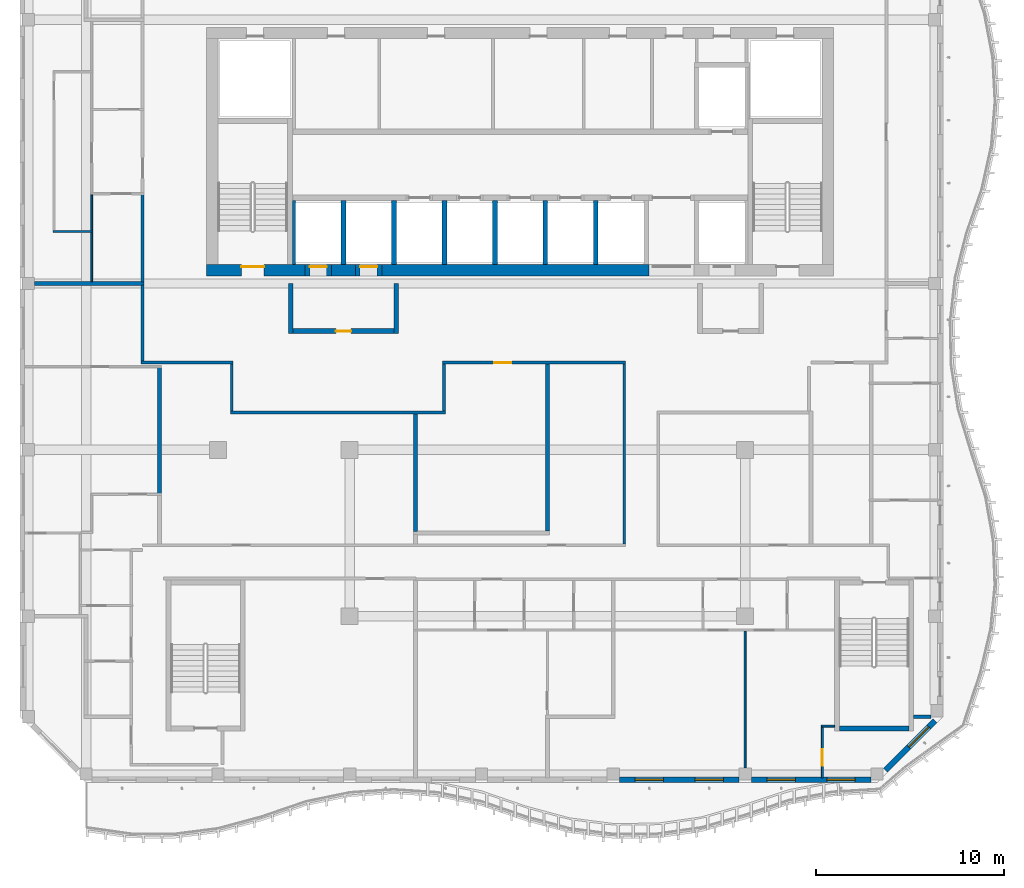
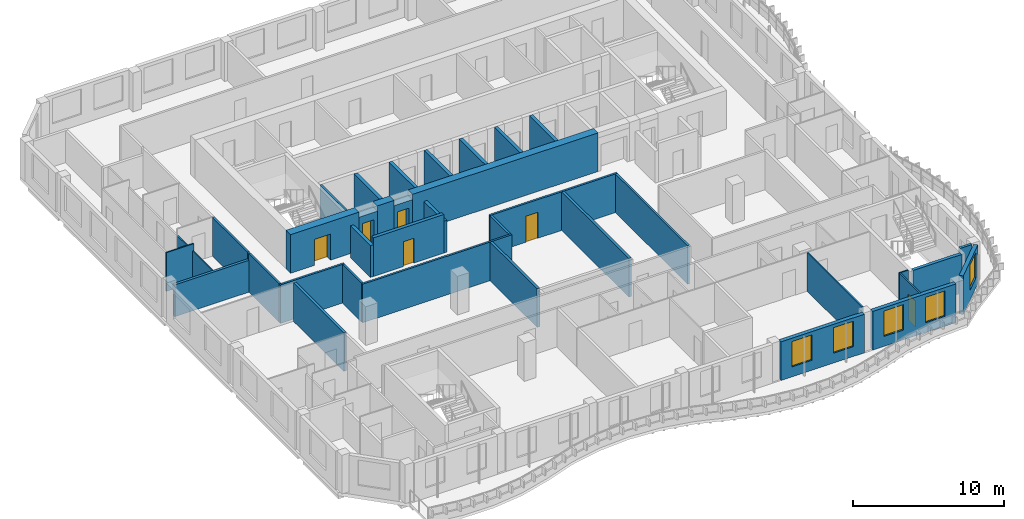
# One storey, part 4 of 17: 38 walls, 6 doors, 5 windows, 11 openings.
"""IFC4 building model written with IfcOpenShell, lengths in metres."""

from ifc_helpers import new_model, si_unit, direction, frame, frame_2d, origin, place, context, subcontext, project, spatial, rectangle, extrude, source, transform, mapped, material, layer, layer_set, type_object, element, fill, save


model = new_model("IFC4")

# Units and contexts
model_context = context("Model", 3, precision=1e-05, world=origin(), true_north=direction((0.0, 1.0)))
body_context = subcontext(model_context, "Body", "Model", "MODEL_VIEW")
ifc_project = project(units=[si_unit("LENGTHUNIT", "METRE"), si_unit("AREAUNIT", "SQUARE_METRE"), si_unit("VOLUMEUNIT", "CUBIC_METRE"), si_unit("PLANEANGLEUNIT", "RADIAN"), si_unit("MASSUNIT", "GRAM", prefix="KILO")], contexts=[model_context])

# Site, building, storey
site_placement = place(None, origin())
site = spatial("IfcSite", under=ifc_project, at=site_placement, CompositionType="ELEMENT")
building_placement = place(site_placement, origin())
building = spatial("IfcBuilding", under=site, at=building_placement, Name="Kilnfold Tower and Market Hall", CompositionType="ELEMENT")
storey_placement = place(building_placement, frame((0.0, 0.0, 273.800048828125)))
storey = spatial("IfcBuildingStorey", under=building, at=storey_placement, Name="L67", CompositionType="ELEMENT", Elevation=273.800048828125)

# Walls
ifc_material_1 = material(Name="Gypsum board on steel studs", Category="steel")
ifc_layer_1 = layer(ifc_material_1, 0.14990234375)
ifc_layer_set_1 = layer_set([ifc_layer_1], Name="Gypsum board on steel studs")
wall_type_1 = type_object("IfcWallType", Name="WALL CORRIDOR 150", PredefinedType="PARTITIONING", material=ifc_layer_set_1)
wall_1_placement = place(storey_placement, frame((-19.074951171875, 3.800048828125, 0.0), z_axis=(0.0, 0.0, 1.0), x_axis=(1.0, 0.0, 0.0)))
element("IfcWall", 1, at=wall_1_placement, inside=storey, type_object=wall_type_1, Name="Partition LY41.7", PredefinedType="PARTITIONING", context=body_context, shape_type="SweptSolid", body=[
    extrude(rectangle(XDim=4.889892578125, YDim=0.14990234375, at=frame_2d((2.44482421875, 0.0))), origin(), (0.0, 0.0, 1.0), 3.119873046875),
])
wall_2_placement = place(storey_placement, frame((-19.0, 3.875, 0.0), z_axis=(0.0, 0.0, 1.0), x_axis=(0.0, 1.0, 0.0)))
element("IfcWall", 2, at=wall_2_placement, inside=storey, type_object=wall_type_1, Name="Partition LY41.8", PredefinedType="PARTITIONING", context=body_context, shape_type="SweptSolid", body=[
    extrude(rectangle(XDim=4.034912109375, YDim=0.14990234375, at=frame_2d((2.017578125, 0.0))), origin(), (0.0, 0.0, 1.0), 3.119873046875),
])
wall_3_placement = place(storey_placement, frame((-19.0, 8.090087890625, 0.0), z_axis=(0.0, 0.0, 1.0), x_axis=(0.0, 1.0, 0.0)))
element("IfcWall", 3, at=wall_3_placement, inside=storey, type_object=wall_type_1, Name="Partition LY41.24", PredefinedType="PARTITIONING", context=body_context, shape_type="SweptSolid", body=[
    extrude(rectangle(XDim=4.6298828125, YDim=0.14990234375, at=frame_2d((2.31494140625, 0.0))), origin(), (0.0, 0.0, 1.0), 3.119873046875),
])
wall_4_placement = place(storey_placement, frame((-14.3349609375, 1.14990234375, 0.0), z_axis=(0.0, 0.0, 1.0), x_axis=(1.0, 0.0, 0.0)))
element("IfcWall", 4, at=wall_4_placement, inside=storey, type_object=wall_type_1, Name="Partition LY41.27", PredefinedType="PARTITIONING", context=body_context, shape_type="SweptSolid", body=[
    extrude(rectangle(XDim=11.409912109375, YDim=0.14990234375, at=frame_2d((5.705078125, 0.0))), origin(), (0.0, 0.0, 1.0), 3.119873046875),
])
wall_5_placement = place(storey_placement, frame((-14.260009765625, 3.72509765625, 0.0), z_axis=(0.0, 0.0, 1.0), x_axis=(0.0, -1.0, 0.0)))
element("IfcWall", 5, at=wall_5_placement, inside=storey, type_object=wall_type_1, Name="Partition LY41.28", PredefinedType="PARTITIONING", context=body_context, shape_type="SweptSolid", body=[
    extrude(rectangle(XDim=2.5, YDim=0.14990234375, at=frame_2d((1.25, 0.0))), origin(), (0.0, 0.0, 1.0), 3.119873046875),
])

# Wall, opening, door
wall_6_placement = place(storey_placement, frame((-3.074951171875, 3.800048828125, 0.0), z_axis=(0.0, 0.0, 1.0), x_axis=(1.0, 0.0, 0.0)))
wall_6 = element("IfcWall", 6, at=wall_6_placement, inside=storey, type_object=wall_type_1, Name="Partition LY41.29", PredefinedType="PARTITIONING", context=body_context, shape_type="SweptSolid", body=[
    extrude(rectangle(XDim=9.72998046875, YDim=0.14990234375, at=frame_2d((4.864990234375, 0.0))), origin(), (0.0, 0.0, 1.0), 3.119873046875),
])
opening_1_placement = place(wall_6_placement, frame((2.7509765625, 0.0, 0.0)))
opening_1 = element("IfcOpeningElement", 7, at=opening_1_placement, cuts=wall_6, Name="Opening D2", PredefinedType="OPENING", context=body_context, shape_type="SweptSolid", body=[
    extrude(rectangle(XDim=0.89990234375, YDim=2.10009765625, at=frame_2d((0.449951171875, 1.050048828125))), frame((0.0, 0.0849609375, 0.0), z_axis=(0.0, -1.0, 0.0), x_axis=(1.0, 0.0, 0.0)), (0.0, 0.0, 1.0), 0.169921875),
])
ifc_material_2 = material(Name="Timber veneer door leaf in steel frame", Category="steel")
door_type_1 = type_object("IfcDoorType", Name="DOOR ROOM 900 X2100", OperationType="NOTDEFINED", PredefinedType="DOOR", material=ifc_material_2)
door_1_placement = place(opening_1_placement, origin())
door_1 = element("IfcDoor", 8, at=door_1_placement, inside=storey, type_object=door_type_1, Name="Door D2", OperationType="SINGLE_SWING_RIGHT", OverallHeight=2.10009765625, OverallWidth=0.89990234375, PredefinedType="DOOR", context=body_context, shape_type="SweptSolid", body=[
    extrude(rectangle(XDim=0.89990234375, YDim=2.10009765625, at=frame_2d((0.449951171875, 1.050048828125))), frame((0.0, 0.02490234375, 0.0), z_axis=(0.0, -1.0, 0.0), x_axis=(1.0, 0.0, 0.0)), (0.0, 0.0, 1.0), 0.050048828125),
])
fill(opening_1, door_1)

# Walls
wall_7_placement = place(storey_placement, frame((-3.0, 1.22509765625, 0.0), z_axis=(0.0, 0.0, 1.0), x_axis=(0.0, 1.0, 0.0)))
element("IfcWall", 9, at=wall_7_placement, inside=storey, type_object=wall_type_1, Name="Partition LY41.30", PredefinedType="PARTITIONING", context=body_context, shape_type="SweptSolid", body=[
    extrude(rectangle(XDim=2.5, YDim=0.14990234375, at=frame_2d((1.25, 0.0))), origin(), (0.0, 0.0, 1.0), 3.119873046875),
])
wall_8_placement = place(storey_placement, frame((6.580078125, 3.72509765625, 0.0), z_axis=(0.0, 0.0, 1.0), x_axis=(0.0, -1.0, 0.0)))
element("IfcWall", 10, at=wall_8_placement, inside=storey, type_object=wall_type_1, Name="Partition LY41.31", PredefinedType="PARTITIONING", context=body_context, shape_type="SweptSolid", body=[
    extrude(rectangle(XDim=9.550048828125, YDim=0.14990234375, at=frame_2d((4.77490234375, 0.0))), origin(), (0.0, 0.0, 1.0), 3.119873046875),
])
ifc_material_3 = material(Name="Gypsum board on steel studs", Category="steel")
ifc_layer_2 = layer(ifc_material_3, 0.10009765625)
ifc_layer_set_2 = layer_set([ifc_layer_2], Name="Gypsum board on steel studs")
wall_type_2 = type_object("IfcWallType", Name="WALL PARTITION 100", PredefinedType="PARTITIONING", material=ifc_layer_set_2)
wall_9_placement = place(storey_placement, frame((13.0, -17.72509765625, 0.0), z_axis=(0.0, 0.0, 1.0), x_axis=(0.0, 1.0, 0.0)))
element("IfcWall", 11, at=wall_9_placement, inside=storey, type_object=wall_type_2, Name="Partition LY41.68", PredefinedType="PARTITIONING", context=body_context, shape_type="SweptSolid", body=[
    extrude(rectangle(XDim=7.273193359375, YDim=0.10009765625, at=frame_2d((3.63671875, 0.0))), origin(), (0.0, 0.0, 1.0), 3.119873046875),
])
wall_10_placement = place(storey_placement, frame((17.050048828125, -15.5, 0.0), z_axis=(0.0, 0.0, 1.0), x_axis=(1.0, 0.0, 0.0)))
element("IfcWall", 12, at=wall_10_placement, inside=storey, type_object=wall_type_2, Name="Partition LY41.69", PredefinedType="PARTITIONING", context=body_context, shape_type="SweptSolid", body=[
    extrude(rectangle(XDim=0.699951171875, YDim=0.10009765625, at=frame_2d((0.35009765625, 0.0))), origin(), (0.0, 0.0, 1.0), 3.119873046875),
])

# Wall, opening, door
wall_11_placement = place(storey_placement, frame((17.10009765625, -18.25, 0.0), z_axis=(0.0, 0.0, 1.0), x_axis=(0.0, 1.0, 0.0)))
wall_11 = element("IfcWall", 13, at=wall_11_placement, inside=storey, type_object=wall_type_2, Name="Partition LY41.70", PredefinedType="PARTITIONING", context=body_context, shape_type="SweptSolid", body=[
    extrude(rectangle(XDim=2.699951171875, YDim=0.10009765625, at=frame_2d((1.35009765625, 0.0))), origin(), (0.0, 0.0, 1.0), 3.119873046875),
])
opening_2_placement = place(wall_11_placement, frame((0.631103515625, 0.0, 0.0)))
opening_2 = element("IfcOpeningElement", 14, at=opening_2_placement, cuts=wall_11, Name="Opening D2", PredefinedType="OPENING", context=body_context, shape_type="SweptSolid", body=[
    extrude(rectangle(XDim=0.89990234375, YDim=2.10009765625, at=frame_2d((0.449951171875, 1.050048828125))), frame((0.0, 0.06005859375, 0.0), z_axis=(0.0, -1.0, 0.0), x_axis=(1.0, 0.0, 0.0)), (0.0, 0.0, 1.0), 0.1201171875),
])
door_2_placement = place(opening_2_placement, origin())
door_2 = element("IfcDoor", 15, at=door_2_placement, inside=storey, type_object=door_type_1, Name="Door D2", OperationType="SINGLE_SWING_LEFT", OverallHeight=2.10009765625, OverallWidth=0.89990234375, PredefinedType="DOOR", context=body_context, shape_type="SweptSolid", body=[
    extrude(rectangle(XDim=0.89990234375, YDim=2.10009765625, at=frame_2d((0.449951171875, 1.050048828125))), frame((0.0, 0.02490234375, 0.0), z_axis=(0.0, -1.0, 0.0), x_axis=(1.0, 0.0, 0.0)), (0.0, 0.0, 1.0), 0.050048828125),
])
fill(opening_2, door_2)

# Walls
wall_12_placement = place(storey_placement, frame((-21.699951171875, 8.10009765625, 0.0), z_axis=(0.0, 0.0, 1.0), x_axis=(0.0, 1.0, 0.0)))
element("IfcWall", 16, at=wall_12_placement, inside=storey, type_object=wall_type_2, Name="Partition LY41.86", PredefinedType="PARTITIONING", context=body_context, shape_type="SweptSolid", body=[
    extrude(rectangle(XDim=2.618896484375, YDim=0.10009765625, at=frame_2d((1.3095703125, 0.0))), origin(), (0.0, 0.0, 1.0), 2.570068359375),
])
wall_13_placement = place(storey_placement, frame((-21.699951171875, 10.800048828125, 0.0), z_axis=(0.0, 0.0, 1.0), x_axis=(0.0, 1.0, 0.0)))
element("IfcWall", 17, at=wall_13_placement, inside=storey, type_object=wall_type_2, Name="Partition LY41.87", PredefinedType="PARTITIONING", context=body_context, shape_type="SweptSolid", body=[
    extrude(rectangle(XDim=1.909912109375, YDim=0.10009765625, at=frame_2d((0.955078125, 0.0))), origin(), (0.0, 0.0, 1.0), 2.570068359375),
])
wall_14_placement = place(storey_placement, frame((-21.652099609375, 10.759033203125, 0.0), z_axis=(0.0, 0.0, 1.0), x_axis=(-1.0, 0.0, 0.0)))
element("IfcWall", 18, at=wall_14_placement, inside=storey, type_object=wall_type_2, Name="Partition LY41.94", PredefinedType="PARTITIONING", context=body_context, shape_type="SweptSolid", body=[
    extrude(rectangle(XDim=2.098876953125, YDim=0.10009765625, at=frame_2d((1.04931640625, 0.0))), origin(), (0.0, 0.0, 1.0), 3.119873046875),
])
ifc_material_4 = material(Name="Gypsum board on steel studs", Category="steel")
ifc_layer_3 = layer(ifc_material_4, 0.199951171875)
ifc_layer_set_3 = layer_set([ifc_layer_3], Name="Gypsum board on steel studs")
wall_type_3 = type_object("IfcWallType", Name="WALL PARTY 200", PredefinedType="PARTITIONING", material=ifc_layer_set_3)
wall_15_placement = place(storey_placement, frame((-18.10009765625, -3.14794921875, 0.0), z_axis=(0.0, 0.0, 1.0), x_axis=(0.0, 1.0, 0.0)))
element("IfcWall", 19, at=wall_15_placement, inside=storey, type_object=wall_type_3, Name="Partition LY41.53", PredefinedType="PARTITIONING", context=body_context, shape_type="SweptSolid", body=[
    extrude(rectangle(XDim=6.680908203125, YDim=0.199951171875, at=frame_2d((3.34033203125, 0.0))), origin(), (0.0, 0.0, 1.0), 3.119873046875),
])
wall_16_placement = place(storey_placement, frame((-24.72509765625, 8.0, 0.0), z_axis=(0.0, 0.0, 1.0), x_axis=(1.0, 0.0, 0.0)))
element("IfcWall", 20, at=wall_16_placement, inside=storey, type_object=wall_type_3, Name="Partition LY41.54", PredefinedType="PARTITIONING", context=body_context, shape_type="SweptSolid", body=[
    extrude(rectangle(XDim=5.798095703125, YDim=0.199951171875, at=frame_2d((2.89892578125, 0.0))), origin(), (0.0, 0.0, 1.0), 2.570068359375),
])
wall_17_placement = place(storey_placement, frame((21.949951171875, -15.0, 0.0), z_axis=(0.0, 0.0, 1.0), x_axis=(1.0, 0.0, 0.0)))
element("IfcWall", 21, at=wall_17_placement, inside=storey, type_object=wall_type_3, Name="Partition LY41.71", PredefinedType="PARTITIONING", context=body_context, shape_type="SweptSolid", body=[
    extrude(rectangle(XDim=0.906982421875, YDim=0.199951171875, at=frame_2d((0.45361328125, 0.0))), origin(), (0.0, 0.0, 1.0), 3.119873046875),
])
wall_18_placement = place(storey_placement, frame((-4.5, -5.159912109375, 0.0), z_axis=(0.0, 0.0, 1.0), x_axis=(0.0, 1.0, 0.0)))
element("IfcWall", 22, at=wall_18_placement, inside=storey, type_object=wall_type_3, Name="Partition LY41.95", PredefinedType="PARTITIONING", context=body_context, shape_type="SweptSolid", body=[
    extrude(rectangle(XDim=6.23291015625, YDim=0.199951171875, at=frame_2d((3.116455078125, 0.0))), origin(), (0.0, 0.0, 1.0), 3.119873046875),
])
wall_19_placement = place(storey_placement, frame((2.5, -5.14990234375, 0.0), z_axis=(0.0, 0.0, 1.0), x_axis=(0.0, 1.0, 0.0)))
element("IfcWall", 23, at=wall_19_placement, inside=storey, type_object=wall_type_3, Name="Partition LY41.97", PredefinedType="PARTITIONING", context=body_context, shape_type="SweptSolid", body=[
    extrude(rectangle(XDim=8.872802734375, YDim=0.199951171875, at=frame_2d((4.4365234375, 0.0))), origin(), (0.0, 0.0, 1.0), 3.119873046875),
])
ifc_material_5 = material(Name="Concrete C50", Category="concrete")
ifc_layer_4 = layer(ifc_material_5, 0.25)
ifc_layer_set_4 = layer_set([ifc_layer_4], Name="Concrete C50")
wall_type_4 = type_object("IfcWallType", Name="CORE WALL 250 C50", PredefinedType="SHEAR", material=ifc_layer_set_4)
shared_shape_1 = source(origin(), body_context, "Body", "SweptSolid", [
    extrude(rectangle(XDim=3.699951171875, YDim=0.25, at=frame_2d((1.85009765625, 0.0))), origin(), (0.0, 0.0, 1.0), 3.119873046875),
])
wall_20_placement = place(storey_placement, frame((18.0, -15.625, 0.0), z_axis=(0.0, 0.0, 1.0), x_axis=(1.0, 0.0, 0.0)))
element("IfcWall", 24, at=wall_20_placement, inside=storey, type_object=wall_type_4, Name="Stair enclosure ST4", PredefinedType="SHEAR", context=body_context, shape_type="MappedRepresentation", body=[
    mapped(shared_shape_1, transform((0.0, 0.0, 0.0))),
])

# Wall, opening, door
ifc_material_6 = material(Name="Concrete C50", Category="concrete")
ifc_layer_5 = layer(ifc_material_6, 0.60009765625)
ifc_layer_set_5 = layer_set([ifc_layer_5], Name="Concrete C50")
wall_type_5 = type_object("IfcWallType", Name="CORE WALL 600 C50", PredefinedType="SHEAR", material=ifc_layer_set_5)
shared_shape_2 = source(origin(), body_context, "Body", "SweptSolid", [
    extrude(rectangle(XDim=5.22998046875, YDim=0.60009765625, at=frame_2d((2.614990234375, 0.0))), origin(), (0.0, 0.0, 1.0), 3.119873046875),
])
wall_21_placement = place(storey_placement, frame((-15.60009765625, 8.699951171875, 0.0), z_axis=(0.0, 0.0, 1.0), x_axis=(1.0, 0.0, 0.0)))
wall_21 = element("IfcWall", 25, at=wall_21_placement, inside=storey, type_object=wall_type_5, Name="Core outer wall south", PredefinedType="SHEAR", context=body_context, shape_type="MappedRepresentation", body=[
    mapped(shared_shape_2, transform((0.0, 0.0, 0.0))),
])
opening_3_placement = place(wall_21_placement, frame((1.85009765625, 0.0, 0.0)))
opening_3 = element("IfcOpeningElement", 26, at=opening_3_placement, cuts=wall_21, Name="Opening SD1", PredefinedType="OPENING", context=body_context, shape_type="SweptSolid", body=[
    extrude(rectangle(XDim=1.199951171875, YDim=2.10009765625, at=frame_2d((0.60009765625, 1.050048828125))), frame((0.0, 0.31005859375, 0.0), z_axis=(0.0, -1.0, 0.0), x_axis=(1.0, 0.0, 0.0)), (0.0, 0.0, 1.0), 0.6201171875),
])
ifc_material_7 = material(Name="Steel door set with fire-resisting leaf", Category="steel")
door_type_2 = type_object("IfcDoorType", Name="STAIR FLOOR DOOR 1200X2100", OperationType="NOTDEFINED", PredefinedType="DOOR", material=ifc_material_7)
door_3_placement = place(opening_3_placement, origin())
door_3 = element("IfcDoor", 27, at=door_3_placement, inside=storey, type_object=door_type_2, Name="Exit stair ST1 door", OperationType="DOUBLE_DOOR_SINGLE_SWING", OverallHeight=2.10009765625, OverallWidth=1.199951171875, PredefinedType="DOOR", context=body_context, shape_type="SweptSolid", body=[
    extrude(rectangle(XDim=1.199951171875, YDim=2.10009765625, at=frame_2d((0.60009765625, 1.050048828125))), frame((0.0, 0.205078125, 0.0), z_axis=(0.0, -1.0, 0.0), x_axis=(1.0, 0.0, 0.0)), (0.0, 0.0, 1.0), 0.050048828125),
])
fill(opening_3, door_3)

# Walls
shared_shape_3 = source(origin(), body_context, "Body", "SweptSolid", [
    extrude(rectangle(XDim=1.280029296875, YDim=0.60009765625, at=frame_2d((0.64013671875, 0.0))), origin(), (0.0, 0.0, 1.0), 3.119873046875),
])
wall_22_placement = place(storey_placement, frame((-8.969970703125, 8.699951171875, 0.0), z_axis=(0.0, 0.0, 1.0), x_axis=(1.0, 0.0, 0.0)))
element("IfcWall", 28, at=wall_22_placement, inside=storey, type_object=wall_type_5, Name="Core outer wall south", PredefinedType="SHEAR", context=body_context, shape_type="MappedRepresentation", body=[
    mapped(shared_shape_3, transform((0.0, 0.0, 0.0))),
])
shared_shape_4 = source(origin(), body_context, "Body", "SweptSolid", [
    extrude(rectangle(XDim=14.179931640625, YDim=0.60009765625, at=frame_2d((7.08984375, 0.0))), origin(), (0.0, 0.0, 1.0), 3.119873046875),
])
wall_23_placement = place(storey_placement, frame((-6.2900390625, 8.699951171875, 0.0), z_axis=(0.0, 0.0, 1.0), x_axis=(1.0, 0.0, 0.0)))
element("IfcWall", 29, at=wall_23_placement, inside=storey, type_object=wall_type_5, Name="Core outer wall south", PredefinedType="SHEAR", context=body_context, shape_type="MappedRepresentation", body=[
    mapped(shared_shape_4, transform((0.0, 0.0, 0.0))),
])

# Wall, openings, windows
ifc_material_8 = material(Name="Precast concrete C50/60", Category="concrete")
ifc_layer_6 = layer(ifc_material_8, 0.300048828125)
ifc_layer_set_6 = layer_set([ifc_layer_6], Name="Precast concrete C50/60")
wall_type_6 = type_object("IfcWallType", Name="PRECAST WALL 300", PredefinedType="SOLIDWALL", material=ifc_layer_set_6)
shared_shape_5 = source(origin(), body_context, "Body", "SweptSolid", [
    extrude(rectangle(XDim=6.35009765625, YDim=0.300048828125, at=frame_2d((3.175048828125, 0.0))), origin(), (0.0, 0.0, 1.0), 3.119873046875),
])
wall_24_placement = place(storey_placement, frame((6.324951171875, -18.35009765625, 0.0), z_axis=(0.0, 0.0, 1.0), x_axis=(1.0, 0.0, 0.0)))
wall_24 = element("IfcWall", 30, at=wall_24_placement, inside=storey, type_object=wall_type_6, Name="External wall L67 S", PredefinedType="SOLIDWALL", context=body_context, shape_type="MappedRepresentation", body=[
    mapped(shared_shape_5, transform((0.0, 0.0, 0.0))),
])
opening_4_placement = place(wall_24_placement, frame((0.83740234375, 0.0, 0.800048828125)))
opening_4 = element("IfcOpeningElement", 31, at=opening_4_placement, cuts=wall_24, Name="Opening W5", PredefinedType="OPENING", context=body_context, shape_type="SweptSolid", body=[
    extrude(rectangle(XDim=1.5, YDim=2.050048828125, at=frame_2d((0.75, 1.02490234375))), frame((0.0, 0.16015625, 0.0), z_axis=(0.0, -1.0, 0.0), x_axis=(1.0, 0.0, 0.0)), (0.0, 0.0, 1.0), 0.320068359375),
])
opening_5_placement = place(wall_24_placement, frame((4.012451171875, 0.0, 0.800048828125)))
opening_5 = element("IfcOpeningElement", 32, at=opening_5_placement, cuts=wall_24, Name="Opening W5", PredefinedType="OPENING", context=body_context, shape_type="SweptSolid", body=[
    extrude(rectangle(XDim=1.5, YDim=2.050048828125, at=frame_2d((0.75, 1.02490234375))), frame((0.0, 0.16015625, 0.0), z_axis=(0.0, -1.0, 0.0), x_axis=(1.0, 0.0, 0.0)), (0.0, 0.0, 1.0), 0.320068359375),
])
ifc_material_9 = material(Name="Aluminium frame and double glazing", Category="aluminium")
window_type = type_object("IfcWindowType", Name="WINDOW W5 1500X2050", PartitioningType="SINGLE_PANEL", PredefinedType="WINDOW", material=ifc_material_9)
window_1_placement = place(opening_4_placement, origin())
window_1 = element("IfcWindow", 33, at=window_1_placement, inside=storey, type_object=window_type, Name="Window W5 L67 S-1", OverallHeight=2.050048828125, OverallWidth=1.5, PartitioningType="SINGLE_PANEL", PredefinedType="WINDOW", context=body_context, shape_type="SweptSolid", body=[
    extrude(rectangle(XDim=1.5, YDim=2.050048828125, at=frame_2d((0.75, 1.02490234375))), frame((0.0, 0.030029296875, 0.0), z_axis=(0.0, -1.0, 0.0), x_axis=(1.0, 0.0, 0.0)), (0.0, 0.0, 1.0), 0.06005859375),
])
fill(opening_4, window_1)
window_2_placement = place(opening_5_placement, origin())
window_2 = element("IfcWindow", 34, at=window_2_placement, inside=storey, type_object=window_type, Name="Window W5 L67 S-2", OverallHeight=2.050048828125, OverallWidth=1.5, PartitioningType="SINGLE_PANEL", PredefinedType="WINDOW", context=body_context, shape_type="SweptSolid", body=[
    extrude(rectangle(XDim=1.5, YDim=2.050048828125, at=frame_2d((0.75, 1.02490234375))), frame((0.0, 0.030029296875, 0.0), z_axis=(0.0, -1.0, 0.0), x_axis=(1.0, 0.0, 0.0)), (0.0, 0.0, 1.0), 0.06005859375),
])
fill(opening_5, window_2)

wall_25_placement = place(storey_placement, frame((13.324951171875, -18.35009765625, 0.0), z_axis=(0.0, 0.0, 1.0), x_axis=(1.0, 0.0, 0.0)))
wall_25 = element("IfcWall", 35, at=wall_25_placement, inside=storey, type_object=wall_type_6, Name="External wall L67 S", PredefinedType="SOLIDWALL", context=body_context, shape_type="MappedRepresentation", body=[
    mapped(shared_shape_5, transform((0.0, 0.0, 0.0))),
])
opening_6_placement = place(wall_25_placement, frame((0.83740234375, 0.0, 0.800048828125)))
opening_6 = element("IfcOpeningElement", 36, at=opening_6_placement, cuts=wall_25, Name="Opening W5", PredefinedType="OPENING", context=body_context, shape_type="SweptSolid", body=[
    extrude(rectangle(XDim=1.5, YDim=2.050048828125, at=frame_2d((0.75, 1.02490234375))), frame((0.0, 0.16015625, 0.0), z_axis=(0.0, -1.0, 0.0), x_axis=(1.0, 0.0, 0.0)), (0.0, 0.0, 1.0), 0.320068359375),
])
opening_7_placement = place(wall_25_placement, frame((4.012451171875, 0.0, 0.800048828125)))
opening_7 = element("IfcOpeningElement", 37, at=opening_7_placement, cuts=wall_25, Name="Opening W5", PredefinedType="OPENING", context=body_context, shape_type="SweptSolid", body=[
    extrude(rectangle(XDim=1.5, YDim=2.050048828125, at=frame_2d((0.75, 1.02490234375))), frame((0.0, 0.16015625, 0.0), z_axis=(0.0, -1.0, 0.0), x_axis=(1.0, 0.0, 0.0)), (0.0, 0.0, 1.0), 0.320068359375),
])
window_3_placement = place(opening_6_placement, origin())
window_3 = element("IfcWindow", 38, at=window_3_placement, inside=storey, type_object=window_type, Name="Window W5 L67 S-1", OverallHeight=2.050048828125, OverallWidth=1.5, PartitioningType="SINGLE_PANEL", PredefinedType="WINDOW", context=body_context, shape_type="SweptSolid", body=[
    extrude(rectangle(XDim=1.5, YDim=2.050048828125, at=frame_2d((0.75, 1.02490234375))), frame((0.0, 0.030029296875, 0.0), z_axis=(0.0, -1.0, 0.0), x_axis=(1.0, 0.0, 0.0)), (0.0, 0.0, 1.0), 0.06005859375),
])
fill(opening_6, window_3)
window_4_placement = place(opening_7_placement, origin())
window_4 = element("IfcWindow", 39, at=window_4_placement, inside=storey, type_object=window_type, Name="Window W5 L67 S-2", OverallHeight=2.050048828125, OverallWidth=1.5, PartitioningType="SINGLE_PANEL", PredefinedType="WINDOW", context=body_context, shape_type="SweptSolid", body=[
    extrude(rectangle(XDim=1.5, YDim=2.050048828125, at=frame_2d((0.75, 1.02490234375))), frame((0.0, 0.030029296875, 0.0), z_axis=(0.0, -1.0, 0.0), x_axis=(1.0, 0.0, 0.0)), (0.0, 0.0, 1.0), 0.06005859375),
])
fill(opening_7, window_4)

# Wall, opening, window
shared_shape_6 = source(origin(), body_context, "Body", "SweptSolid", [
    extrude(rectangle(XDim=3.71240234375, YDim=0.300048828125, at=frame_2d((1.856201171875, 0.0))), origin(), (0.0, 0.0, 1.0), 3.119873046875),
])
wall_26_placement = place(storey_placement, frame((20.44384765625, -17.843994140625, 0.0), z_axis=(0.0, 0.0, 1.0), x_axis=(0.707106781187, 0.707106781187, 0.0)))
wall_26 = element("IfcWall", 40, at=wall_26_placement, inside=storey, type_object=wall_type_6, Name="External wall L67 SE", PredefinedType="SOLIDWALL", context=body_context, shape_type="MappedRepresentation", body=[
    mapped(shared_shape_6, transform((0.0, 0.0, 0.0))),
])
opening_8_placement = place(wall_26_placement, frame((1.75, 0.0, 0.800048828125)))
opening_8 = element("IfcOpeningElement", 41, at=opening_8_placement, cuts=wall_26, Name="Opening W5", PredefinedType="OPENING", context=body_context, shape_type="SweptSolid", body=[
    extrude(rectangle(XDim=1.5, YDim=2.050048828125, at=frame_2d((0.75, 1.02490234375))), frame((0.0, 0.16015625, 0.0), z_axis=(0.0, -1.0, 0.0), x_axis=(1.0, 0.0, 0.0)), (0.0, 0.0, 1.0), 0.320068359375),
])
window_5_placement = place(opening_8_placement, origin())
window_5 = element("IfcWindow", 42, at=window_5_placement, inside=storey, type_object=window_type, Name="Window W5 L67 SE-1", OverallHeight=2.050048828125, OverallWidth=1.5, PartitioningType="SINGLE_PANEL", PredefinedType="WINDOW", context=body_context, shape_type="SweptSolid", body=[
    extrude(rectangle(XDim=1.5, YDim=2.050048828125, at=frame_2d((0.75, 1.02490234375))), frame((0.0, 0.030029296875, 0.0), z_axis=(0.0, -1.0, 0.0), x_axis=(1.0, 0.0, 0.0)), (0.0, 0.0, 1.0), 0.06005859375),
])
fill(opening_8, window_5)

# Wall, opening, door
ifc_material_10 = material(Name="Gypsum shaft wall system")
ifc_layer_7 = layer(ifc_material_10, 0.25)
ifc_layer_set_7 = layer_set([ifc_layer_7], Name="Gypsum shaft wall system")
wall_type_7 = type_object("IfcWallType", Name="LOBBY WALL 250", PredefinedType="PARTITIONING", material=ifc_layer_set_7)
shared_shape_7 = source(origin(), body_context, "Body", "SweptSolid", [
    extrude(rectangle(XDim=5.360107421875, YDim=0.25, at=frame_2d((2.68017578125, 0.0))), origin(), (0.0, 0.0, 1.0), 3.119873046875),
])
wall_27_placement = place(storey_placement, frame((-11.010009765625, 5.47509765625, 0.0), z_axis=(0.0, 0.0, 1.0), x_axis=(1.0, 0.0, 0.0)))
wall_27 = element("IfcWall", 43, at=wall_27_placement, inside=storey, type_object=wall_type_7, Name="Firefighting lobby wall", PredefinedType="PARTITIONING", context=body_context, shape_type="MappedRepresentation", body=[
    mapped(shared_shape_7, transform((0.0, 0.0, 0.0))),
])
opening_9_placement = place(wall_27_placement, frame((2.280029296875, 0.0, 0.0)))
opening_9 = element("IfcOpeningElement", 44, at=opening_9_placement, cuts=wall_27, Name="Opening VD1", PredefinedType="OPENING", context=body_context, shape_type="SweptSolid", body=[
    extrude(rectangle(XDim=0.800048828125, YDim=2.0, at=frame_2d((0.39990234375, 1.0))), frame((0.0, 0.135009765625, 0.0), z_axis=(0.0, -1.0, 0.0), x_axis=(1.0, 0.0, 0.0)), (0.0, 0.0, 1.0), 0.27001953125),
])
ifc_material_11 = material(Name="Steel door set with fire-resisting leaf", Category="steel")
door_type_3 = type_object("IfcDoorType", Name="FIREFIGHTING LOBBY DOOR 800X2000", OperationType="NOTDEFINED", PredefinedType="DOOR", material=ifc_material_11)
door_4_placement = place(opening_9_placement, origin())
door_4 = element("IfcDoor", 45, at=door_4_placement, inside=storey, type_object=door_type_3, Name="Firefighting lobby door", OperationType="SINGLE_SWING_LEFT", OverallHeight=2.0, OverallWidth=0.800048828125, PredefinedType="DOOR", context=body_context, shape_type="SweptSolid", body=[
    extrude(rectangle(XDim=0.800048828125, YDim=2.0, at=frame_2d((0.39990234375, 1.0))), frame((0.0, 0.02490234375, 0.0), z_axis=(0.0, -1.0, 0.0), x_axis=(1.0, 0.0, 0.0)), (0.0, 0.0, 1.0), 0.050048828125),
])
fill(opening_9, door_4)

# Walls
ifc_material_12 = material(Name="Gypsum shaft wall system")
ifc_layer_8 = layer(ifc_material_12, 0.25)
ifc_layer_set_8 = layer_set([ifc_layer_8], Name="Gypsum shaft wall system")
wall_type_8 = type_object("IfcWallType", Name="SHAFT WALL 250", PredefinedType="PARTITIONING", material=ifc_layer_set_8)
shared_shape_8 = source(origin(), body_context, "Body", "SweptSolid", [
    extrude(rectangle(XDim=3.39990234375, YDim=0.25, at=frame_2d((1.699951171875, 0.0))), origin(), (0.0, 0.0, 1.0), 3.119873046875),
])
for number, where, z_axis, x_axis, name in (
    (46, (2.389892578125, 9.0, 0.0), (0.0, 0.0, 1.0), (0.0, 1.0, 0.0), "Lift shaft wall"),
    (47, (5.070068359375, 9.0, 0.0), (0.0, 0.0, 1.0), (0.0, 1.0, 0.0), "Lift shaft wall"),
    (48, (-0.2900390625, 9.0, 0.0), (0.0, 0.0, 1.0), (0.0, 1.0, 0.0), "Lift shaft wall"),
    (49, (-2.969970703125, 9.0, 0.0), (0.0, 0.0, 1.0), (0.0, 1.0, 0.0), "Lift shaft wall"),
    (50, (-5.64990234375, 9.0, 0.0), (0.0, 0.0, 1.0), (0.0, 1.0, 0.0), "Lift shaft wall"),
    (51, (-8.330078125, 9.0, 0.0), (0.0, 0.0, 1.0), (0.0, 1.0, 0.0), "Lift shaft wall"),
):
    element("IfcWall", number, at=place(storey_placement, frame(where, z_axis=z_axis, x_axis=x_axis)), inside=storey, type_object=wall_type_8, Name=name, PredefinedType="PARTITIONING", context=body_context, shape_type="MappedRepresentation", body=[
        mapped(shared_shape_8, transform((0.0, 0.0, 0.0))),
    ])
ifc_material_13 = material(Name="Gypsum shaft wall system")
ifc_layer_9 = layer(ifc_material_13, 0.1650390625)
ifc_layer_set_9 = layer_set([ifc_layer_9], Name="Gypsum shaft wall system")
wall_type_9 = type_object("IfcWallType", Name="SHAFT WALL 165", PredefinedType="PARTITIONING", material=ifc_layer_set_9)
shared_shape_9 = source(origin(), body_context, "Body", "SweptSolid", [
    extrude(rectangle(XDim=3.39990234375, YDim=0.1650390625, at=frame_2d((1.699951171875, 0.0))), origin(), (0.0, 0.0, 1.0), 3.119873046875),
])
wall_28_placement = place(storey_placement, frame((-10.967529296875, 9.0, 0.0), z_axis=(0.0, 0.0, 1.0), x_axis=(0.0, 1.0, 0.0)))
element("IfcWall", 52, at=wall_28_placement, inside=storey, type_object=wall_type_9, Name="Lift shaft wall", PredefinedType="PARTITIONING", context=body_context, shape_type="MappedRepresentation", body=[
    mapped(shared_shape_9, transform((0.0, 0.0, 0.0))),
])
shared_shape_10 = source(origin(), body_context, "Body", "SweptSolid", [
    extrude(rectangle(XDim=2.64990234375, YDim=0.25, at=frame_2d((1.324951171875, 0.0))), origin(), (0.0, 0.0, 1.0), 2.570068359375),
])
for number, where, z_axis, x_axis, name in (
    (53, (-11.135009765625, 5.35009765625, 0.0), (0.0, 0.0, 1.0), (0.0, 1.0, 0.0), "Firefighting lobby wall"),
    (54, (-5.52490234375, 5.35009765625, 0.0), (0.0, 0.0, 1.0), (0.0, 1.0, 0.0), "Firefighting lobby wall"),
):
    element("IfcWall", number, at=place(storey_placement, frame(where, z_axis=z_axis, x_axis=x_axis)), inside=storey, type_object=wall_type_7, Name=name, PredefinedType="PARTITIONING", context=body_context, shape_type="MappedRepresentation", body=[
        mapped(shared_shape_10, transform((0.0, 0.0, 0.0))),
    ])

# Wall, opening, door
ifc_material_14 = material(Name="Gypsum shaft wall system")
ifc_layer_10 = layer(ifc_material_14, 0.60009765625)
ifc_layer_set_10 = layer_set([ifc_layer_10], Name="Gypsum shaft wall system")
wall_type_10 = type_object("IfcWallType", Name="LOBBY WALL 600", PredefinedType="PARTITIONING", material=ifc_layer_set_10)
shared_shape_11 = source(origin(), body_context, "Body", "SweptSolid", [
    extrude(rectangle(XDim=1.400146484375, YDim=0.60009765625, at=frame_2d((0.7001953125, 0.0))), origin(), (0.0, 0.0, 1.0), 2.699951171875),
])
wall_29_placement = place(storey_placement, frame((-10.3701171875, 8.699951171875, 0.0), z_axis=(0.0, 0.0, 1.0), x_axis=(1.0, 0.0, 0.0)))
wall_29 = element("IfcWall", 55, at=wall_29_placement, inside=storey, type_object=wall_type_10, Name="Core wall infill", PredefinedType="PARTITIONING", context=body_context, shape_type="MappedRepresentation", body=[
    mapped(shared_shape_11, transform((0.0, 0.0, 0.0))),
])
opening_10_placement = place(wall_29_placement, frame((0.25, 0.0, 0.0)))
opening_10 = element("IfcOpeningElement", 56, at=opening_10_placement, cuts=wall_29, Name="Opening LD1", PredefinedType="OPENING", context=body_context, shape_type="SweptSolid", body=[
    extrude(rectangle(XDim=0.89990234375, YDim=2.10009765625, at=frame_2d((0.449951171875, 1.050048828125))), frame((0.0, 0.31005859375, 0.0), z_axis=(0.0, -1.0, 0.0), x_axis=(1.0, 0.0, 0.0)), (0.0, 0.0, 1.0), 0.6201171875),
])
ifc_material_15 = material(Name="Steel door set with fire-resisting leaf", Category="steel")
door_type_4 = type_object("IfcDoorType", Name="FIREFIGHTING LANDING DOOR 900X2100", OperationType="NOTDEFINED", PredefinedType="DOOR", material=ifc_material_15)
door_5_placement = place(opening_10_placement, origin())
door_5 = element("IfcDoor", 57, at=door_5_placement, inside=storey, type_object=door_type_4, Name="Landing door FF1", OperationType="SLIDING_TO_LEFT", OverallHeight=2.10009765625, OverallWidth=0.89990234375, PredefinedType="DOOR", context=body_context, shape_type="SweptSolid", body=[
    extrude(rectangle(XDim=0.89990234375, YDim=2.10009765625, at=frame_2d((0.449951171875, 1.050048828125))), frame((0.0, 0.205078125, 0.0), z_axis=(0.0, -1.0, 0.0), x_axis=(1.0, 0.0, 0.0)), (0.0, 0.0, 1.0), 0.050048828125),
])
fill(opening_10, door_5)

shared_shape_12 = source(origin(), body_context, "Body", "SweptSolid", [
    extrude(rectangle(XDim=1.39990234375, YDim=0.60009765625, at=frame_2d((0.699951171875, 0.0))), origin(), (0.0, 0.0, 1.0), 2.699951171875),
])
wall_30_placement = place(storey_placement, frame((-7.68994140625, 8.699951171875, 0.0), z_axis=(0.0, 0.0, 1.0), x_axis=(1.0, 0.0, 0.0)))
wall_30 = element("IfcWall", 58, at=wall_30_placement, inside=storey, type_object=wall_type_10, Name="Core wall infill", PredefinedType="PARTITIONING", context=body_context, shape_type="MappedRepresentation", body=[
    mapped(shared_shape_12, transform((0.0, 0.0, 0.0))),
])
opening_11_placement = place(wall_30_placement, frame((0.25, 0.0, 0.0)))
opening_11 = element("IfcOpeningElement", 59, at=opening_11_placement, cuts=wall_30, Name="Opening LD1", PredefinedType="OPENING", context=body_context, shape_type="SweptSolid", body=[
    extrude(rectangle(XDim=0.89990234375, YDim=2.10009765625, at=frame_2d((0.449951171875, 1.050048828125))), frame((0.0, 0.31005859375, 0.0), z_axis=(0.0, -1.0, 0.0), x_axis=(1.0, 0.0, 0.0)), (0.0, 0.0, 1.0), 0.6201171875),
])
door_6_placement = place(opening_11_placement, origin())
door_6 = element("IfcDoor", 60, at=door_6_placement, inside=storey, type_object=door_type_4, Name="Landing door FF2", OperationType="SLIDING_TO_RIGHT", OverallHeight=2.10009765625, OverallWidth=0.89990234375, PredefinedType="DOOR", context=body_context, shape_type="SweptSolid", body=[
    extrude(rectangle(XDim=0.89990234375, YDim=2.10009765625, at=frame_2d((0.449951171875, 1.050048828125))), frame((0.0, 0.205078125, 0.0), z_axis=(0.0, -1.0, 0.0), x_axis=(1.0, 0.0, 0.0)), (0.0, 0.0, 1.0), 0.050048828125),
])
fill(opening_11, door_6)

save(model, "model.ifc")
